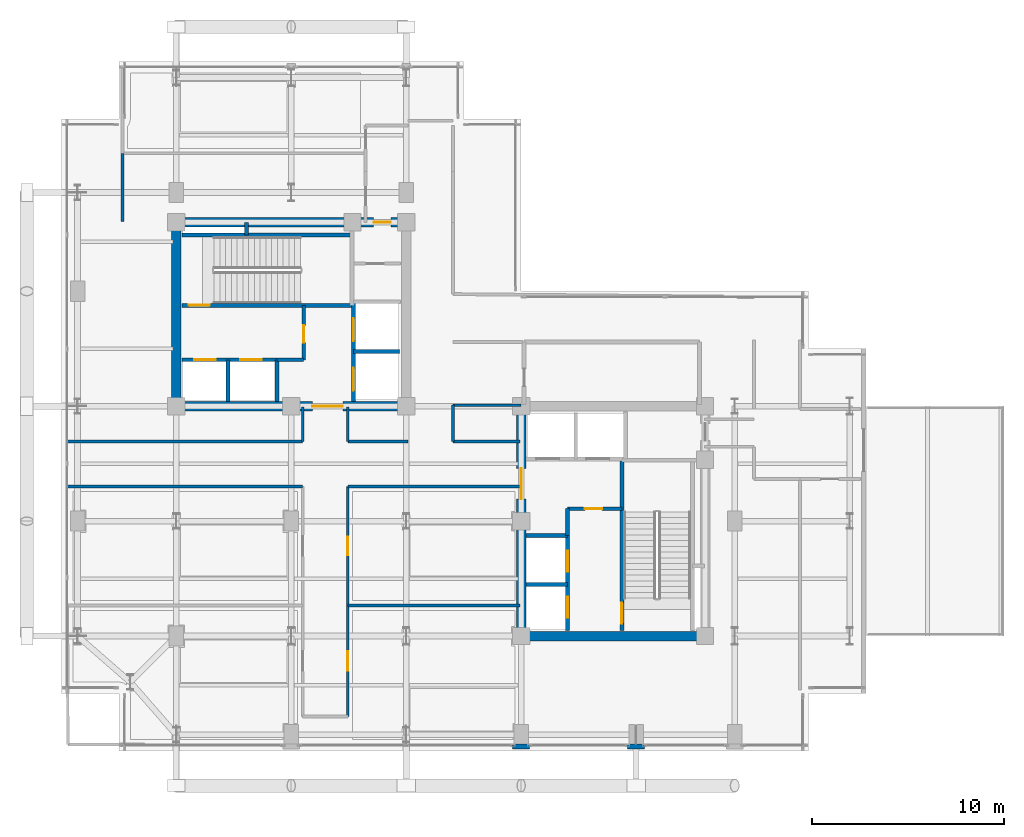
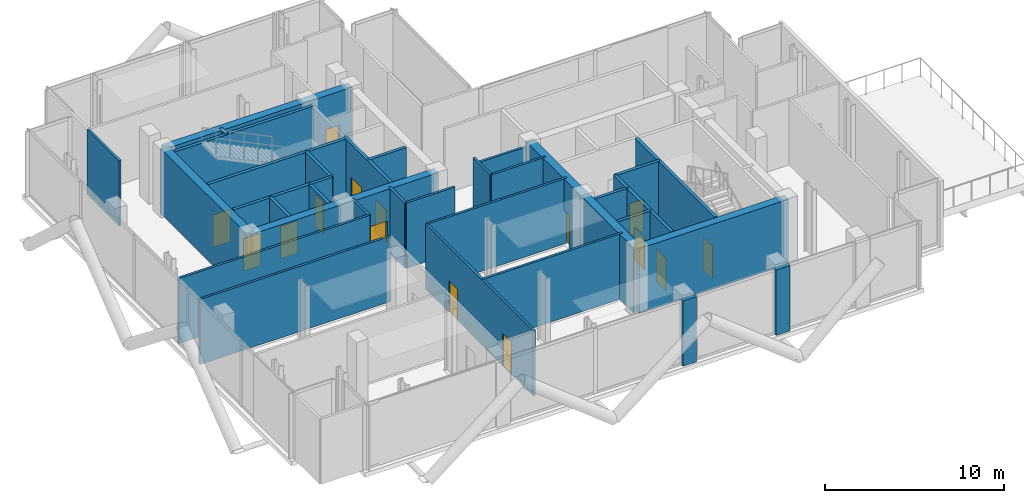
# One storey, part 14 of 19: 35 walls, 15 doors, 15 openings.
"""IFC4 building model written with IfcOpenShell, lengths in metres."""

from ifc_helpers import new_model, si_unit, direction, frame, frame_2d, origin, place, context, subcontext, project, spatial, rectangle, extrude, material, layer, layer_set, type_object, element, fill, save


model = new_model("IFC4")

# Units and contexts
model_context = context("Model", 3, precision=1e-05, world=origin(), true_north=direction((0.0, 1.0)))
body_context = subcontext(model_context, "Body", "Model", "MODEL_VIEW")
ifc_project = project(units=[si_unit("LENGTHUNIT", "METRE"), si_unit("AREAUNIT", "SQUARE_METRE"), si_unit("VOLUMEUNIT", "CUBIC_METRE"), si_unit("PLANEANGLEUNIT", "RADIAN"), si_unit("MASSUNIT", "GRAM", prefix="KILO"), si_unit("THERMODYNAMICTEMPERATUREUNIT", "KELVIN"), si_unit("POWERUNIT", "WATT")], contexts=[model_context])

# Site, building, storey
site_placement = place(None, origin())
site = spatial("IfcSite", under=ifc_project, at=site_placement, CompositionType="ELEMENT")
building_placement = place(site_placement, origin())
building = spatial("IfcBuilding", under=site, at=building_placement, Name="Svarakhadi Broadcast Tower", CompositionType="ELEMENT")
storey_placement = place(building_placement, frame((0.0, 0.0, 204.0)))
storey = spatial("IfcBuildingStorey", under=building, at=storey_placement, Name="L50", CompositionType="ELEMENT", Elevation=204.0)

# Walls
ifc_material_1 = material(Name="Concrete C40/50 (IS 456 M50)", Category="concrete")
ifc_layer_1 = layer(ifc_material_1, 0.239990234375)
ifc_layer_set_1 = layer_set([ifc_layer_1], Name="Concrete C40/50 (IS 456 M50)")
wall_type_1 = type_object("IfcWallType", Name="Wall_Ext_240", PredefinedType="SOLIDWALL", material=ifc_layer_set_1)
for number, where, z_axis, x_axis, name in (
    (1, (30.43994140625, 0.239990234375, 0.0), (0.0, 0.0, 1.0), (-1.0, 0.0, 0.0), "L50 Perimeter Bronze Spandrel Closure Wall 04"),
    (2, (24.43994140625, 0.239990234375, 0.0), (0.0, 0.0, 1.0), (-1.0, 0.0, 0.0), "L50 Perimeter Bronze Spandrel Closure Wall 05"),
):
    element("IfcWall", number, at=place(storey_placement, frame(where, z_axis=z_axis, x_axis=x_axis)), inside=storey, type_object=wall_type_1, Name=name, PredefinedType="SOLIDWALL", context=body_context, shape_type="SweptSolid", body=[
        extrude(rectangle(XDim=0.8798828125, YDim=0.239990234375, at=frame_2d((0.43994140625, 0.0))), origin(), (0.0, 0.0, 1.0), 4.43994140625),
    ])
ifc_layer_2 = layer(ifc_material_1, 0.199951171875)
ifc_layer_set_2 = layer_set([ifc_layer_2], Name="Concrete C40/50 (IS 456 M50)")
wall_type_2 = type_object("IfcWallType", Name="Wall_Fire_200", PredefinedType="SOLIDWALL", material=ifc_layer_set_2)
wall_1_placement = place(storey_placement, frame((9.659912109375, 26.93994140625, 0.0), z_axis=(0.0, 0.0, 1.0), x_axis=(0.0, 1.0, 0.0)))
element("IfcWall", 3, at=wall_1_placement, inside=storey, type_object=wall_type_2, Name="L50 Wet Riser Shaft East Wall", PredefinedType="SOLIDWALL", context=body_context, shape_type="SweptSolid", body=[
    extrude(rectangle(XDim=0.64013671875, YDim=0.199951171875, at=frame_2d((0.320068359375, 0.0))), origin(), (0.0, 0.0, 1.0), 4.43994140625),
])
ifc_material_2 = material(Name="Autoclaved Aerated Concrete Blockwork 150 mm", Category="masonry")
ifc_layer_3 = layer(ifc_material_2, 0.14990234375)
ifc_layer_set_3 = layer_set([ifc_layer_3], Name="Autoclaved Aerated Concrete Blockwork 150 mm")
wall_type_3 = type_object("IfcWallType", Name="Wall_Part_150", PredefinedType="PARTITIONING", material=ifc_layer_set_3)
for number, where, z_axis, x_axis, name in (
    (4, (12.60009765625, 13.800048828125, 0.0), (0.0, 0.0, 1.0), (-1.0, 0.0, 0.0), "L50 Upper Tower Concourse Wall"),
    (5, (0.300048828125, 16.14990234375, 0.0), (0.0, 0.0, 1.0), (1.0, 0.0, 0.0), "L50 Upper Tower Concourse Wall"),
):
    element("IfcWall", number, at=place(storey_placement, frame(where, z_axis=z_axis, x_axis=x_axis)), inside=storey, type_object=wall_type_3, Name=name, PredefinedType="PARTITIONING", context=body_context, shape_type="SweptSolid", body=[
        extrude(rectangle(XDim=12.300048828125, YDim=0.14990234375, at=frame_2d((6.14990234375, 0.0))), origin(), (0.0, 0.0, 1.0), 4.43994140625),
    ])
for number, where, z_axis, x_axis, name in (
    (6, (12.60009765625, 16.14990234375, 0.0), (0.0, 0.0, 1.0), (0.0, 1.0, 0.0), "L50 Upper Tower Concourse Wall"),
    (7, (14.949951171875, 17.949951171875, 0.0), (0.0, 0.0, 1.0), (0.0, -1.0, 0.0), "L50 Upper Tower Concourse Wall"),
):
    element("IfcWall", number, at=place(storey_placement, frame(where, z_axis=z_axis, x_axis=x_axis)), inside=storey, type_object=wall_type_3, Name=name, PredefinedType="PARTITIONING", context=body_context, shape_type="SweptSolid", body=[
        extrude(rectangle(XDim=1.800048828125, YDim=0.14990234375, at=frame_2d((0.89990234375, 0.0))), origin(), (0.0, 0.0, 1.0), 4.43994140625),
    ])
wall_2_placement = place(storey_placement, frame((14.949951171875, 16.14990234375, 0.0), z_axis=(0.0, 0.0, 1.0), x_axis=(1.0, 0.0, 0.0)))
element("IfcWall", 8, at=wall_2_placement, inside=storey, type_object=wall_type_3, Name="L50 Upper Tower Concourse Wall", PredefinedType="PARTITIONING", context=body_context, shape_type="SweptSolid", body=[
    extrude(rectangle(XDim=3.150146484375, YDim=0.14990234375, at=frame_2d((1.5751953125, 0.0))), origin(), (0.0, 0.0, 1.0), 4.43994140625),
])
wall_3_placement = place(storey_placement, frame((24.0, 18.050048828125, 0.0), z_axis=(0.0, 0.0, 1.0), x_axis=(-1.0, 0.0, 0.0)))
element("IfcWall", 9, at=wall_3_placement, inside=storey, type_object=wall_type_3, Name="L50 Upper Tower Concourse Wall", PredefinedType="PARTITIONING", context=body_context, shape_type="SweptSolid", body=[
    extrude(rectangle(XDim=3.550048828125, YDim=0.14990234375, at=frame_2d((1.77490234375, 0.0))), origin(), (0.0, 0.0, 1.0), 4.031982421875),
])
wall_4_placement = place(storey_placement, frame((20.449951171875, 18.050048828125, 0.0), z_axis=(0.0, 0.0, 1.0), x_axis=(0.0, -1.0, 0.0)))
element("IfcWall", 10, at=wall_4_placement, inside=storey, type_object=wall_type_3, Name="L50 Upper Tower Concourse Wall", PredefinedType="PARTITIONING", context=body_context, shape_type="SweptSolid", body=[
    extrude(rectangle(XDim=1.900146484375, YDim=0.14990234375, at=frame_2d((0.9501953125, 0.0))), origin(), (0.0, 0.0, 1.0), 4.43994140625),
])
wall_5_placement = place(storey_placement, frame((20.449951171875, 16.14990234375, 0.0), z_axis=(0.0, 0.0, 1.0), x_axis=(1.0, 0.0, 0.0)))
element("IfcWall", 11, at=wall_5_placement, inside=storey, type_object=wall_type_3, Name="L50 Upper Tower Concourse Wall", PredefinedType="PARTITIONING", context=body_context, shape_type="SweptSolid", body=[
    extrude(rectangle(XDim=3.5, YDim=0.14990234375, at=frame_2d((1.75, 0.0))), origin(), (0.0, 0.0, 1.0), 4.43994140625),
])
wall_6_placement = place(storey_placement, frame((23.949951171875, 13.800048828125, 0.0), z_axis=(0.0, 0.0, 1.0), x_axis=(-1.0, 0.0, 0.0)))
element("IfcWall", 12, at=wall_6_placement, inside=storey, type_object=wall_type_3, Name="L50 Upper Tower Concourse Wall", PredefinedType="PARTITIONING", context=body_context, shape_type="SweptSolid", body=[
    extrude(rectangle(XDim=9.0, YDim=0.14990234375, at=frame_2d((4.5, 0.0))), origin(), (0.0, 0.0, 1.0), 4.43994140625),
])

# Wall, openings, doors
wall_7_placement = place(storey_placement, frame((14.949951171875, 13.800048828125, 0.0), z_axis=(0.0, 0.0, 1.0), x_axis=(0.0, -1.0, 0.0)))
wall_7 = element("IfcWall", 13, at=wall_7_placement, inside=storey, type_object=wall_type_3, Name="L50 Upper Tower Concourse Wall", PredefinedType="PARTITIONING", context=body_context, shape_type="SweptSolid", body=[
    extrude(rectangle(XDim=12.0, YDim=0.14990234375, at=frame_2d((6.0, 0.0))), origin(), (0.0, 0.0, 1.0), 4.43994140625),
])
opening_1_placement = place(wall_7_placement, frame((8.60009765625, 0.0, 0.0)))
opening_1 = element("IfcOpeningElement", 14, at=opening_1_placement, cuts=wall_7, Name="Opening D-08", PredefinedType="OPENING", context=body_context, shape_type="SweptSolid", body=[
    extrude(rectangle(XDim=1.0, YDim=2.199951171875, at=frame_2d((0.5, 1.10009765625))), frame((0.0, 0.0849609375, 0.0), z_axis=(0.0, -1.0, 0.0), x_axis=(1.0, 0.0, 0.0)), (0.0, 0.0, 1.0), 0.169921875),
])
opening_2_placement = place(wall_7_placement, frame((2.625, 0.0, 0.0)))
opening_2 = element("IfcOpeningElement", 15, at=opening_2_placement, cuts=wall_7, Name="Opening D-07", PredefinedType="OPENING", context=body_context, shape_type="SweptSolid", body=[
    extrude(rectangle(XDim=0.949951171875, YDim=2.14990234375, at=frame_2d((0.47509765625, 1.074951171875))), frame((0.0, 0.0849609375, 0.0), z_axis=(0.0, -1.0, 0.0), x_axis=(1.0, 0.0, 0.0)), (0.0, 0.0, 1.0), 0.169921875),
])
ifc_material_3 = material(Name="Solid-Core Teak Veneer Acoustic Timber Leaf", Category="wood")
door_type_1 = type_object("IfcDoorType", Name="Door_Office_D07", OperationType="SINGLE_SWING_RIGHT", PredefinedType="DOOR", material=ifc_material_3)
door_1_placement = place(opening_2_placement, origin())
door_1 = element("IfcDoor", 16, at=door_1_placement, inside=storey, type_object=door_type_1, Name="L50 L50 Aquatic Club Catering Kitchen Door", OperationType="SINGLE_SWING_RIGHT", OverallHeight=2.14990234375, OverallWidth=0.949951171875, PredefinedType="DOOR", context=body_context, shape_type="SweptSolid", body=[
    extrude(rectangle(XDim=0.949951171875, YDim=2.14990234375, at=frame_2d((0.47509765625, 1.074951171875))), frame((0.0, 0.02490234375, 0.0), z_axis=(0.0, -1.0, 0.0), x_axis=(1.0, 0.0, 0.0)), (0.0, 0.0, 1.0), 0.050048828125),
])
fill(opening_2, door_1)
door_type_2 = type_object("IfcDoorType", Name="Door_Suite_D08", OperationType="SINGLE_SWING_LEFT", PredefinedType="DOOR", material=ifc_material_3)
door_2_placement = place(opening_1_placement, origin())
door_2 = element("IfcDoor", 17, at=door_2_placement, inside=storey, type_object=door_type_2, Name="L50 L50 Poolside Bistro and Sunset Bar Door", OperationType="SINGLE_SWING_LEFT", OverallHeight=2.199951171875, OverallWidth=1.0, PredefinedType="DOOR", context=body_context, shape_type="SweptSolid", body=[
    extrude(rectangle(XDim=1.0, YDim=2.199951171875, at=frame_2d((0.5, 1.10009765625))), frame((0.0, 0.02490234375, 0.0), z_axis=(0.0, -1.0, 0.0), x_axis=(1.0, 0.0, 0.0)), (0.0, 0.0, 1.0), 0.050048828125),
])
fill(opening_1, door_2)

# Walls
wall_8_placement = place(storey_placement, frame((14.949951171875, 7.60009765625, 0.0), z_axis=(0.0, 0.0, 1.0), x_axis=(1.0, 0.0, 0.0)))
element("IfcWall", 18, at=wall_8_placement, inside=storey, type_object=wall_type_3, Name="L50 L50 Poolside Bistro and Sunset Bar Wall", PredefinedType="PARTITIONING", context=body_context, shape_type="SweptSolid", body=[
    extrude(rectangle(XDim=9.0, YDim=0.14990234375, at=frame_2d((4.5, 0.0))), origin(), (0.0, 0.0, 1.0), 4.43994140625),
])
wall_9_placement = place(storey_placement, frame((3.199951171875, 27.64990234375, 0.0), z_axis=(0.0, 0.0, 1.0), x_axis=(0.0, 1.0, 0.0)))
element("IfcWall", 19, at=wall_9_placement, inside=storey, type_object=wall_type_3, Name="L50 L50 Private Cabana Relaxation Lounge Wall", PredefinedType="PARTITIONING", context=body_context, shape_type="SweptSolid", body=[
    extrude(rectangle(XDim=3.550048828125, YDim=0.14990234375, at=frame_2d((1.77490234375, 0.0))), origin(), (0.0, 0.0, 1.0), 4.43994140625),
])

# Wall, opening, door
ifc_material_4 = material(Name="Concrete C50/60 (IS 456 M60)", Category="concrete")
ifc_layer_4 = layer(ifc_material_4, 0.199951171875)
ifc_layer_set_4 = layer_set([ifc_layer_4], Name="Concrete C50/60 (IS 456 M60)")
wall_type_4 = type_object("IfcWallType", Name="Wall_Shear_200", PredefinedType="SHEAR", material=ifc_layer_set_4)
wall_10_placement = place(storey_placement, frame((6.300048828125, 23.260009765625, 0.0), z_axis=(0.0, 0.0, 1.0), x_axis=(1.0, 0.0, 0.0)))
wall_10 = element("IfcWall", 20, at=wall_10_placement, inside=storey, type_object=wall_type_4, Name="L50 Stair ST-01 South RC Shaft Wall", PredefinedType="SHEAR", context=body_context, shape_type="SweptSolid", body=[
    extrude(rectangle(XDim=8.8798828125, YDim=0.199951171875, at=frame_2d((4.43994140625, 0.0))), origin(), (0.0, 0.0, 1.0), 4.43994140625),
])
opening_3_placement = place(wall_10_placement, frame((0.35009765625, 0.0, 0.0)))
opening_3 = element("IfcOpeningElement", 21, at=opening_3_placement, cuts=wall_10, Name="Opening D-01", PredefinedType="OPENING", context=body_context, shape_type="SweptSolid", body=[
    extrude(rectangle(XDim=1.10009765625, YDim=2.199951171875, at=frame_2d((0.550048828125, 1.10009765625))), frame((0.0, 0.10986328125, 0.0), z_axis=(0.0, -1.0, 0.0), x_axis=(1.0, 0.0, 0.0)), (0.0, 0.0, 1.0), 0.219970703125),
])
ifc_material_5 = material(Name="Galvanised Powder-Coated Fire-Rated Steel Leaf", Category="steel")
door_type_3 = type_object("IfcDoorType", Name="Door_Stair_D01", OperationType="SINGLE_SWING_LEFT", PredefinedType="DOOR", material=ifc_material_5)
door_3_placement = place(opening_3_placement, origin())
door_3 = element("IfcDoor", 22, at=door_3_placement, inside=storey, type_object=door_type_3, Name="L50 Protected Exit Stair ST-01 Fire Door", OperationType="SINGLE_SWING_LEFT", OverallHeight=2.199951171875, OverallWidth=1.10009765625, PredefinedType="DOOR", context=body_context, shape_type="SweptSolid", body=[
    extrude(rectangle(XDim=1.10009765625, YDim=2.199951171875, at=frame_2d((0.550048828125, 1.10009765625))), frame((0.0, 0.02490234375, 0.0), z_axis=(0.0, -1.0, 0.0), x_axis=(1.0, 0.0, 0.0)), (0.0, 0.0, 1.0), 0.050048828125),
])
fill(opening_3, door_3)

# Wall
wall_11_placement = place(storey_placement, frame((6.300048828125, 26.93994140625, 0.0), z_axis=(0.0, 0.0, 1.0), x_axis=(1.0, 0.0, 0.0)))
element("IfcWall", 23, at=wall_11_placement, inside=storey, type_object=wall_type_4, Name="L50 Stair ST-01 North RC Shaft Wall", PredefinedType="SHEAR", context=body_context, shape_type="SweptSolid", body=[
    extrude(rectangle(XDim=8.8798828125, YDim=0.199951171875, at=frame_2d((4.43994140625, 0.0))), origin(), (0.0, 0.0, 1.0), 4.43994140625),
])

# Wall, opening, door
wall_12_placement = place(storey_placement, frame((29.260009765625, 6.300048828125, 0.0), z_axis=(0.0, 0.0, 1.0), x_axis=(0.0, 1.0, 0.0)))
wall_12 = element("IfcWall", 24, at=wall_12_placement, inside=storey, type_object=wall_type_4, Name="L50 Stair ST-02 West RC Shaft Wall", PredefinedType="SHEAR", context=body_context, shape_type="SweptSolid", body=[
    extrude(rectangle(XDim=8.8798828125, YDim=0.199951171875, at=frame_2d((4.43994140625, 0.0))), origin(), (0.0, 0.0, 1.0), 4.43994140625),
])
opening_4_placement = place(wall_12_placement, frame((0.35009765625, 0.0, 0.0)))
opening_4 = element("IfcOpeningElement", 25, at=opening_4_placement, cuts=wall_12, Name="Opening D-02", PredefinedType="OPENING", context=body_context, shape_type="SweptSolid", body=[
    extrude(rectangle(XDim=1.10009765625, YDim=2.199951171875, at=frame_2d((0.550048828125, 1.10009765625))), frame((0.0, 0.10986328125, 0.0), z_axis=(0.0, -1.0, 0.0), x_axis=(1.0, 0.0, 0.0)), (0.0, 0.0, 1.0), 0.219970703125),
])
door_type_4 = type_object("IfcDoorType", Name="Door_Stair_D02", OperationType="SINGLE_SWING_RIGHT", PredefinedType="DOOR", material=ifc_material_5)
door_4_placement = place(opening_4_placement, origin())
door_4 = element("IfcDoor", 26, at=door_4_placement, inside=storey, type_object=door_type_4, Name="L50 Protected Exit Stair ST-02 Fire Door", OperationType="SINGLE_SWING_RIGHT", OverallHeight=2.199951171875, OverallWidth=1.10009765625, PredefinedType="DOOR", context=body_context, shape_type="SweptSolid", body=[
    extrude(rectangle(XDim=1.10009765625, YDim=2.199951171875, at=frame_2d((0.550048828125, 1.10009765625))), frame((0.0, 0.02490234375, 0.0), z_axis=(0.0, -1.0, 0.0), x_axis=(1.0, 0.0, 0.0)), (0.0, 0.0, 1.0), 0.050048828125),
])
fill(opening_4, door_4)

# Wall, openings, doors
wall_13_placement = place(storey_placement, frame((6.300048828125, 20.419921875, 0.0), z_axis=(0.0, 0.0, 1.0), x_axis=(1.0, 0.0, 0.0)))
wall_13 = element("IfcWall", 27, at=wall_13_placement, inside=storey, type_object=wall_type_4, Name="L50 Firefighting Lift LF-01/02 Shaft Wall", PredefinedType="SHEAR", context=body_context, shape_type="SweptSolid", body=[
    extrude(rectangle(XDim=4.949951171875, YDim=0.199951171875, at=frame_2d((2.47509765625, 0.0))), origin(), (0.0, 0.0, 1.0), 4.43994140625),
])
opening_5_placement = place(wall_13_placement, frame((0.64990234375, 0.0, 0.0)))
opening_5 = element("IfcOpeningElement", 28, at=opening_5_placement, cuts=wall_13, Name="Opening LD-01", PredefinedType="OPENING", context=body_context, shape_type="SweptSolid", body=[
    extrude(rectangle(XDim=1.10009765625, YDim=2.199951171875, at=frame_2d((0.550048828125, 1.10009765625))), frame((0.0, 0.10986328125, 0.0), z_axis=(0.0, -1.0, 0.0), x_axis=(1.0, 0.0, 0.0)), (0.0, 0.0, 1.0), 0.219970703125),
])
opening_6_placement = place(wall_13_placement, frame((3.050048828125, 0.0, 0.0)))
opening_6 = element("IfcOpeningElement", 29, at=opening_6_placement, cuts=wall_13, Name="Opening LD-01", PredefinedType="OPENING", context=body_context, shape_type="SweptSolid", body=[
    extrude(rectangle(XDim=1.10009765625, YDim=2.199951171875, at=frame_2d((0.550048828125, 1.10009765625))), frame((0.0, 0.10986328125, 0.0), z_axis=(0.0, -1.0, 0.0), x_axis=(1.0, 0.0, 0.0)), (0.0, 0.0, 1.0), 0.219970703125),
])
door_type_5 = type_object("IfcDoorType", Name="Door_Lift_LD01", OperationType="SLIDING_TO_LEFT", PredefinedType="DOOR", material=ifc_material_5)
door_5_placement = place(opening_5_placement, origin())
door_5 = element("IfcDoor", 30, at=door_5_placement, inside=storey, type_object=door_type_5, Name="L50 Firefighting Lift LF-01 Landing Door", OperationType="SLIDING_TO_LEFT", OverallHeight=2.199951171875, OverallWidth=1.10009765625, PredefinedType="DOOR", context=body_context, shape_type="SweptSolid", body=[
    extrude(rectangle(XDim=1.10009765625, YDim=2.199951171875, at=frame_2d((0.550048828125, 1.10009765625))), frame((0.0, 0.02490234375, 0.0), z_axis=(0.0, -1.0, 0.0), x_axis=(1.0, 0.0, 0.0)), (0.0, 0.0, 1.0), 0.050048828125),
])
fill(opening_5, door_5)
door_6_placement = place(opening_6_placement, origin())
door_6 = element("IfcDoor", 31, at=door_6_placement, inside=storey, type_object=door_type_5, Name="L50 Firefighting Lift LF-02 Landing Door", OperationType="SLIDING_TO_LEFT", OverallHeight=2.199951171875, OverallWidth=1.10009765625, PredefinedType="DOOR", context=body_context, shape_type="SweptSolid", body=[
    extrude(rectangle(XDim=1.10009765625, YDim=2.199951171875, at=frame_2d((0.550048828125, 1.10009765625))), frame((0.0, 0.02490234375, 0.0), z_axis=(0.0, -1.0, 0.0), x_axis=(1.0, 0.0, 0.0)), (0.0, 0.0, 1.0), 0.050048828125),
])
fill(opening_6, door_6)

# Walls
for number, where, z_axis, x_axis, name in (
    (32, (8.699951171875, 18.25, 0.0), (0.0, 0.0, 1.0), (0.0, 1.0, 0.0), "L50 Firefighting Lift LF-01/02 Divider Wall"),
    (33, (11.25, 18.25, 0.0), (0.0, 0.0, 1.0), (0.0, 1.0, 0.0), "L50 Firefighting Lift LF-02 East Wall"),
):
    element("IfcWall", number, at=place(storey_placement, frame(where, z_axis=z_axis, x_axis=x_axis)), inside=storey, type_object=wall_type_4, Name=name, PredefinedType="SHEAR", context=body_context, shape_type="SweptSolid", body=[
        extrude(rectangle(XDim=2.169921875, YDim=0.199951171875, at=frame_2d((1.0849609375, 0.0))), origin(), (0.0, 0.0, 1.0), 4.43994140625),
    ])
wall_14_placement = place(storey_placement, frame((11.25, 20.419921875, 0.0), z_axis=(0.0, 0.0, 1.0), x_axis=(1.0, 0.0, 0.0)))
element("IfcWall", 34, at=wall_14_placement, inside=storey, type_object=wall_type_4, Name="L50 West Firefighting Lobby South Wall", PredefinedType="SHEAR", context=body_context, shape_type="SweptSolid", body=[
    extrude(rectangle(XDim=1.39990234375, YDim=0.199951171875, at=frame_2d((0.699951171875, 0.0))), origin(), (0.0, 0.0, 1.0), 4.43994140625),
])

# Wall, opening, door
wall_15_placement = place(storey_placement, frame((12.64990234375, 20.419921875, 0.0), z_axis=(0.0, 0.0, 1.0), x_axis=(0.0, 1.0, 0.0)))
wall_15 = element("IfcWall", 35, at=wall_15_placement, inside=storey, type_object=wall_type_4, Name="L50 West Firefighting Lobby East Wall", PredefinedType="SHEAR", context=body_context, shape_type="SweptSolid", body=[
    extrude(rectangle(XDim=2.840087890625, YDim=0.199951171875, at=frame_2d((1.419921875, 0.0))), origin(), (0.0, 0.0, 1.0), 4.43994140625),
])
opening_7_placement = place(wall_15_placement, frame((0.89990234375, 0.0, 0.0)))
opening_7 = element("IfcOpeningElement", 36, at=opening_7_placement, cuts=wall_15, Name="Opening D-04", PredefinedType="OPENING", context=body_context, shape_type="SweptSolid", body=[
    extrude(rectangle(XDim=0.89990234375, YDim=2.14990234375, at=frame_2d((0.449951171875, 1.074951171875))), frame((0.0, 0.10986328125, 0.0), z_axis=(0.0, -1.0, 0.0), x_axis=(1.0, 0.0, 0.0)), (0.0, 0.0, 1.0), 0.219970703125),
])
door_type_6 = type_object("IfcDoorType", Name="Door_Fire_D04", OperationType="SINGLE_SWING_RIGHT", PredefinedType="DOOR", material=ifc_material_5)
door_7_placement = place(opening_7_placement, origin())
door_7 = element("IfcDoor", 37, at=door_7_placement, inside=storey, type_object=door_type_6, Name="L50 West Firefighting Lobby Fire Door", OperationType="SINGLE_SWING_RIGHT", OverallHeight=2.14990234375, OverallWidth=0.89990234375, PredefinedType="DOOR", context=body_context, shape_type="SweptSolid", body=[
    extrude(rectangle(XDim=0.89990234375, YDim=2.14990234375, at=frame_2d((0.449951171875, 1.074951171875))), frame((0.0, 0.02490234375, 0.0), z_axis=(0.0, -1.0, 0.0), x_axis=(1.0, 0.0, 0.0)), (0.0, 0.0, 1.0), 0.050048828125),
])
fill(opening_7, door_7)

# Wall, openings, doors
wall_16_placement = place(storey_placement, frame((26.419921875, 6.300048828125, 0.0), z_axis=(0.0, 0.0, 1.0), x_axis=(0.0, 1.0, 0.0)))
wall_16 = element("IfcWall", 38, at=wall_16_placement, inside=storey, type_object=wall_type_4, Name="L50 Firefighting Lift LF-03/04 Shaft Wall", PredefinedType="SHEAR", context=body_context, shape_type="SweptSolid", body=[
    extrude(rectangle(XDim=4.949951171875, YDim=0.199951171875, at=frame_2d((2.47509765625, 0.0))), origin(), (0.0, 0.0, 1.0), 4.43994140625),
])
opening_8_placement = place(wall_16_placement, frame((0.64990234375, 0.0, 0.0)))
opening_8 = element("IfcOpeningElement", 39, at=opening_8_placement, cuts=wall_16, Name="Opening LD-01", PredefinedType="OPENING", context=body_context, shape_type="SweptSolid", body=[
    extrude(rectangle(XDim=1.10009765625, YDim=2.199951171875, at=frame_2d((0.550048828125, 1.10009765625))), frame((0.0, 0.10986328125, 0.0), z_axis=(0.0, -1.0, 0.0), x_axis=(1.0, 0.0, 0.0)), (0.0, 0.0, 1.0), 0.219970703125),
])
opening_9_placement = place(wall_16_placement, frame((3.050048828125, 0.0, 0.0)))
opening_9 = element("IfcOpeningElement", 40, at=opening_9_placement, cuts=wall_16, Name="Opening LD-01", PredefinedType="OPENING", context=body_context, shape_type="SweptSolid", body=[
    extrude(rectangle(XDim=1.10009765625, YDim=2.199951171875, at=frame_2d((0.550048828125, 1.10009765625))), frame((0.0, 0.10986328125, 0.0), z_axis=(0.0, -1.0, 0.0), x_axis=(1.0, 0.0, 0.0)), (0.0, 0.0, 1.0), 0.219970703125),
])
door_8_placement = place(opening_8_placement, origin())
door_8 = element("IfcDoor", 41, at=door_8_placement, inside=storey, type_object=door_type_5, Name="L50 Firefighting Lift LF-03 Landing Door", OperationType="SLIDING_TO_LEFT", OverallHeight=2.199951171875, OverallWidth=1.10009765625, PredefinedType="DOOR", context=body_context, shape_type="SweptSolid", body=[
    extrude(rectangle(XDim=1.10009765625, YDim=2.199951171875, at=frame_2d((0.550048828125, 1.10009765625))), frame((0.0, 0.02490234375, 0.0), z_axis=(0.0, -1.0, 0.0), x_axis=(1.0, 0.0, 0.0)), (0.0, 0.0, 1.0), 0.050048828125),
])
fill(opening_8, door_8)
door_9_placement = place(opening_9_placement, origin())
door_9 = element("IfcDoor", 42, at=door_9_placement, inside=storey, type_object=door_type_5, Name="L50 Firefighting Lift LF-04 Landing Door", OperationType="SLIDING_TO_LEFT", OverallHeight=2.199951171875, OverallWidth=1.10009765625, PredefinedType="DOOR", context=body_context, shape_type="SweptSolid", body=[
    extrude(rectangle(XDim=1.10009765625, YDim=2.199951171875, at=frame_2d((0.550048828125, 1.10009765625))), frame((0.0, 0.02490234375, 0.0), z_axis=(0.0, -1.0, 0.0), x_axis=(1.0, 0.0, 0.0)), (0.0, 0.0, 1.0), 0.050048828125),
])
fill(opening_9, door_9)

# Walls
for number, where, z_axis, x_axis, name in (
    (43, (24.25, 8.699951171875, 0.0), (0.0, 0.0, 1.0), (1.0, 0.0, 0.0), "L50 Firefighting Lift LF-03/04 Divider Wall"),
    (44, (24.25, 11.25, 0.0), (0.0, 0.0, 1.0), (1.0, 0.0, 0.0), "L50 Firefighting Lift LF-04 North Wall"),
):
    element("IfcWall", number, at=place(storey_placement, frame(where, z_axis=z_axis, x_axis=x_axis)), inside=storey, type_object=wall_type_4, Name=name, PredefinedType="SHEAR", context=body_context, shape_type="SweptSolid", body=[
        extrude(rectangle(XDim=2.169921875, YDim=0.199951171875, at=frame_2d((1.0849609375, 0.0))), origin(), (0.0, 0.0, 1.0), 4.43994140625),
    ])
wall_17_placement = place(storey_placement, frame((26.419921875, 11.25, 0.0), z_axis=(0.0, 0.0, 1.0), x_axis=(0.0, 1.0, 0.0)))
element("IfcWall", 45, at=wall_17_placement, inside=storey, type_object=wall_type_4, Name="L50 East Firefighting Lobby West Wall", PredefinedType="SHEAR", context=body_context, shape_type="SweptSolid", body=[
    extrude(rectangle(XDim=1.39990234375, YDim=0.199951171875, at=frame_2d((0.699951171875, 0.0))), origin(), (0.0, 0.0, 1.0), 4.43994140625),
])

# Wall, opening, door
wall_18_placement = place(storey_placement, frame((26.419921875, 12.64990234375, 0.0), z_axis=(0.0, 0.0, 1.0), x_axis=(1.0, 0.0, 0.0)))
wall_18 = element("IfcWall", 46, at=wall_18_placement, inside=storey, type_object=wall_type_4, Name="L50 East Firefighting Lobby North Wall", PredefinedType="SHEAR", context=body_context, shape_type="SweptSolid", body=[
    extrude(rectangle(XDim=2.840087890625, YDim=0.199951171875, at=frame_2d((1.419921875, 0.0))), origin(), (0.0, 0.0, 1.0), 4.43994140625),
])
opening_10_placement = place(wall_18_placement, frame((0.89990234375, 0.0, 0.0)))
opening_10 = element("IfcOpeningElement", 47, at=opening_10_placement, cuts=wall_18, Name="Opening D-03", PredefinedType="OPENING", context=body_context, shape_type="SweptSolid", body=[
    extrude(rectangle(XDim=0.89990234375, YDim=2.14990234375, at=frame_2d((0.449951171875, 1.074951171875))), frame((0.0, 0.10986328125, 0.0), z_axis=(0.0, -1.0, 0.0), x_axis=(1.0, 0.0, 0.0)), (0.0, 0.0, 1.0), 0.219970703125),
])
door_type_7 = type_object("IfcDoorType", Name="Door_Fire_D03", OperationType="SINGLE_SWING_LEFT", PredefinedType="DOOR", material=ifc_material_5)
door_10_placement = place(opening_10_placement, origin())
door_10 = element("IfcDoor", 48, at=door_10_placement, inside=storey, type_object=door_type_7, Name="L50 East Firefighting Lobby Fire Door", OperationType="SINGLE_SWING_LEFT", OverallHeight=2.14990234375, OverallWidth=0.89990234375, PredefinedType="DOOR", context=body_context, shape_type="SweptSolid", body=[
    extrude(rectangle(XDim=0.89990234375, YDim=2.14990234375, at=frame_2d((0.449951171875, 1.074951171875))), frame((0.0, 0.02490234375, 0.0), z_axis=(0.0, -1.0, 0.0), x_axis=(1.0, 0.0, 0.0)), (0.0, 0.0, 1.0), 0.050048828125),
])
fill(opening_10, door_10)

# Wall, openings, doors
wall_19_placement = place(storey_placement, frame((15.25, 18.25, 0.0), z_axis=(0.0, 0.0, 1.0), x_axis=(0.0, 1.0, 0.0)))
wall_19 = element("IfcWall", 49, at=wall_19_placement, inside=storey, type_object=wall_type_4, Name="L50 High-Rise Lift LF-13/14 West Shaft Wall", PredefinedType="SHEAR", context=body_context, shape_type="SweptSolid", body=[
    extrude(rectangle(XDim=5.199951171875, YDim=0.199951171875, at=frame_2d((2.60009765625, 0.0))), origin(), (0.0, 0.0, 1.0), 4.43994140625),
])
opening_11_placement = place(wall_19_placement, frame((0.550048828125, 0.0, 0.0)))
opening_11 = element("IfcOpeningElement", 50, at=opening_11_placement, cuts=wall_19, Name="Opening LD-02", PredefinedType="OPENING", context=body_context, shape_type="SweptSolid", body=[
    extrude(rectangle(XDim=1.199951171875, YDim=2.199951171875, at=frame_2d((0.60009765625, 1.10009765625))), frame((0.0, 0.10986328125, 0.0), z_axis=(0.0, -1.0, 0.0), x_axis=(1.0, 0.0, 0.0)), (0.0, 0.0, 1.0), 0.219970703125),
])
opening_12_placement = place(wall_19_placement, frame((3.14990234375, 0.0, 0.0)))
opening_12 = element("IfcOpeningElement", 51, at=opening_12_placement, cuts=wall_19, Name="Opening LD-02", PredefinedType="OPENING", context=body_context, shape_type="SweptSolid", body=[
    extrude(rectangle(XDim=1.199951171875, YDim=2.199951171875, at=frame_2d((0.60009765625, 1.10009765625))), frame((0.0, 0.10986328125, 0.0), z_axis=(0.0, -1.0, 0.0), x_axis=(1.0, 0.0, 0.0)), (0.0, 0.0, 1.0), 0.219970703125),
])
door_type_8 = type_object("IfcDoorType", Name="Door_Lift_LD02", OperationType="SLIDING_TO_RIGHT", PredefinedType="DOOR", material=ifc_material_5)
door_11_placement = place(opening_11_placement, origin())
door_11 = element("IfcDoor", 52, at=door_11_placement, inside=storey, type_object=door_type_8, Name="L50 High-Rise Lift LF-13 Landing Door", OperationType="SLIDING_TO_RIGHT", OverallHeight=2.199951171875, OverallWidth=1.199951171875, PredefinedType="DOOR", context=body_context, shape_type="SweptSolid", body=[
    extrude(rectangle(XDim=1.199951171875, YDim=2.199951171875, at=frame_2d((0.60009765625, 1.10009765625))), frame((0.0, 0.02490234375, 0.0), z_axis=(0.0, -1.0, 0.0), x_axis=(1.0, 0.0, 0.0)), (0.0, 0.0, 1.0), 0.050048828125),
])
fill(opening_11, door_11)
door_12_placement = place(opening_12_placement, origin())
door_12 = element("IfcDoor", 53, at=door_12_placement, inside=storey, type_object=door_type_8, Name="L50 High-Rise Lift LF-14 Landing Door", OperationType="SLIDING_TO_RIGHT", OverallHeight=2.199951171875, OverallWidth=1.199951171875, PredefinedType="DOOR", context=body_context, shape_type="SweptSolid", body=[
    extrude(rectangle(XDim=1.199951171875, YDim=2.199951171875, at=frame_2d((0.60009765625, 1.10009765625))), frame((0.0, 0.02490234375, 0.0), z_axis=(0.0, -1.0, 0.0), x_axis=(1.0, 0.0, 0.0)), (0.0, 0.0, 1.0), 0.050048828125),
])
fill(opening_12, door_12)

# Wall
wall_20_placement = place(storey_placement, frame((15.25, 20.85009765625, 0.0), z_axis=(0.0, 0.0, 1.0), x_axis=(1.0, 0.0, 0.0)))
element("IfcWall", 54, at=wall_20_placement, inside=storey, type_object=wall_type_4, Name="L50 High-Rise Lift LF-13/14 Divider", PredefinedType="SHEAR", context=body_context, shape_type="SweptSolid", body=[
    extrude(rectangle(XDim=2.39990234375, YDim=0.199951171875, at=frame_2d((1.199951171875, 0.0))), origin(), (0.0, 0.0, 1.0), 4.43994140625),
])

# Wall, opening, door
ifc_layer_5 = layer(ifc_material_4, 0.5)
ifc_layer_set_5 = layer_set([ifc_layer_5], Name="Concrete C50/60 (IS 456 M60)")
wall_type_5 = type_object("IfcWallType", Name="Wall_Shear_500", PredefinedType="SHEAR", material=ifc_layer_set_5)
wall_21_placement = place(storey_placement, frame((6.0, 18.0, 0.0), z_axis=(0.0, 0.0, 1.0), x_axis=(1.0, 0.0, 0.0)))
wall_21 = element("IfcWall", 55, at=wall_21_placement, inside=storey, type_object=wall_type_5, Name="L50 West Core South Shear Wall", PredefinedType="SHEAR", context=body_context, shape_type="SweptSolid", body=[
    extrude(rectangle(XDim=12.0, YDim=0.5, at=frame_2d((6.0, 0.0))), origin(), (0.0, 0.0, 1.0), 4.43994140625),
])
opening_13_placement = place(wall_21_placement, frame((7.10009765625, 0.0, 0.0)))
opening_13 = element("IfcOpeningElement", 56, at=opening_13_placement, cuts=wall_21, Name="Opening D-05", PredefinedType="OPENING", context=body_context, shape_type="SweptSolid", body=[
    extrude(rectangle(XDim=1.60009765625, YDim=2.300048828125, at=frame_2d((0.800048828125, 1.14990234375))), frame((0.0, 0.260009765625, 0.0), z_axis=(0.0, -1.0, 0.0), x_axis=(1.0, 0.0, 0.0)), (0.0, 0.0, 1.0), 0.52001953125),
])
ifc_material_6 = material(Name="Anodised Bronze Aluminium AA 6063-T6", Category="aluminium")
door_type_9 = type_object("IfcDoorType", Name="Door_Lobby_D05", OperationType="DOUBLE_DOOR_SLIDING", PredefinedType="DOOR", material=ifc_material_6)
door_13_placement = place(opening_13_placement, origin())
door_13 = element("IfcDoor", 57, at=door_13_placement, inside=storey, type_object=door_type_9, Name="L50 West Core Passenger Lift Lobby Entrance Door", OperationType="DOUBLE_DOOR_SLIDING", OverallHeight=2.300048828125, OverallWidth=1.60009765625, PredefinedType="DOOR", context=body_context, shape_type="SweptSolid", body=[
    extrude(rectangle(XDim=1.60009765625, YDim=2.300048828125, at=frame_2d((0.800048828125, 1.14990234375))), frame((0.0, 0.02490234375, 0.0), z_axis=(0.0, -1.0, 0.0), x_axis=(1.0, 0.0, 0.0)), (0.0, 0.0, 1.0), 0.050048828125),
])
fill(opening_13, door_13)

wall_22_placement = place(storey_placement, frame((6.0, 27.60009765625, 0.0), z_axis=(0.0, 0.0, 1.0), x_axis=(1.0, 0.0, 0.0)))
wall_22 = element("IfcWall", 58, at=wall_22_placement, inside=storey, type_object=wall_type_5, Name="L50 West Core North Shear Wall", PredefinedType="SHEAR", context=body_context, shape_type="SweptSolid", body=[
    extrude(rectangle(XDim=12.0, YDim=0.5, at=frame_2d((6.0, 0.0))), origin(), (0.0, 0.0, 1.0), 4.43994140625),
])
opening_14_placement = place(wall_22_placement, frame((10.300048828125, 0.0, 0.0)))
opening_14 = element("IfcOpeningElement", 59, at=opening_14_placement, cuts=wall_22, Name="Opening D-03", PredefinedType="OPENING", context=body_context, shape_type="SweptSolid", body=[
    extrude(rectangle(XDim=0.89990234375, YDim=2.14990234375, at=frame_2d((0.449951171875, 1.074951171875))), frame((0.0, 0.260009765625, 0.0), z_axis=(0.0, -1.0, 0.0), x_axis=(1.0, 0.0, 0.0)), (0.0, 0.0, 1.0), 0.52001953125),
])
door_14_placement = place(opening_14_placement, origin())
door_14 = element("IfcDoor", 60, at=door_14_placement, inside=storey, type_object=door_type_7, Name="L50 West Core Outer Store Door", OperationType="SINGLE_SWING_LEFT", OverallHeight=2.14990234375, OverallWidth=0.89990234375, PredefinedType="DOOR", context=body_context, shape_type="SweptSolid", body=[
    extrude(rectangle(XDim=0.89990234375, YDim=2.14990234375, at=frame_2d((0.449951171875, 1.074951171875))), frame((0.0, 0.02490234375, 0.0), z_axis=(0.0, -1.0, 0.0), x_axis=(1.0, 0.0, 0.0)), (0.0, 0.0, 1.0), 0.050048828125),
])
fill(opening_14, door_14)

# Walls
for number, where, z_axis, x_axis, name in (
    (61, (6.0, 18.0, 0.0), (0.0, 0.0, 1.0), (0.0, 1.0, 0.0), "L50 West Core West Shear Wall"),
    (62, (24.0, 6.0, 0.0), (0.0, 0.0, 1.0), (1.0, 0.0, 0.0), "L50 East Core South Shear Wall"),
):
    element("IfcWall", number, at=place(storey_placement, frame(where, z_axis=z_axis, x_axis=x_axis)), inside=storey, type_object=wall_type_5, Name=name, PredefinedType="SHEAR", context=body_context, shape_type="SweptSolid", body=[
        extrude(rectangle(XDim=9.60009765625, YDim=0.5, at=frame_2d((4.800048828125, 0.0))), origin(), (0.0, 0.0, 1.0), 4.43994140625),
    ])

# Wall, opening, door
wall_23_placement = place(storey_placement, frame((24.0, 6.0, 0.0), z_axis=(0.0, 0.0, 1.0), x_axis=(0.0, 1.0, 0.0)))
wall_23 = element("IfcWall", 63, at=wall_23_placement, inside=storey, type_object=wall_type_5, Name="L50 East Core West Shear Wall", PredefinedType="SHEAR", context=body_context, shape_type="SweptSolid", body=[
    extrude(rectangle(XDim=12.0, YDim=0.5, at=frame_2d((6.0, 0.0))), origin(), (0.0, 0.0, 1.0), 4.43994140625),
])
opening_15_placement = place(wall_23_placement, frame((7.14990234375, 0.0, 0.0)))
opening_15 = element("IfcOpeningElement", 64, at=opening_15_placement, cuts=wall_23, Name="Opening D-05", PredefinedType="OPENING", context=body_context, shape_type="SweptSolid", body=[
    extrude(rectangle(XDim=1.60009765625, YDim=2.300048828125, at=frame_2d((0.800048828125, 1.14990234375))), frame((0.0, 0.260009765625, 0.0), z_axis=(0.0, -1.0, 0.0), x_axis=(1.0, 0.0, 0.0)), (0.0, 0.0, 1.0), 0.52001953125),
])
door_15_placement = place(opening_15_placement, origin())
door_15 = element("IfcDoor", 65, at=door_15_placement, inside=storey, type_object=door_type_9, Name="L50 East Core Passenger Lift Lobby Entrance Door", OperationType="DOUBLE_DOOR_SLIDING", OverallHeight=2.300048828125, OverallWidth=1.60009765625, PredefinedType="DOOR", context=body_context, shape_type="SweptSolid", body=[
    extrude(rectangle(XDim=1.60009765625, YDim=2.300048828125, at=frame_2d((0.800048828125, 1.14990234375))), frame((0.0, 0.02490234375, 0.0), z_axis=(0.0, -1.0, 0.0), x_axis=(1.0, 0.0, 0.0)), (0.0, 0.0, 1.0), 0.050048828125),
])
fill(opening_15, door_15)

save(model, "model.ifc")
